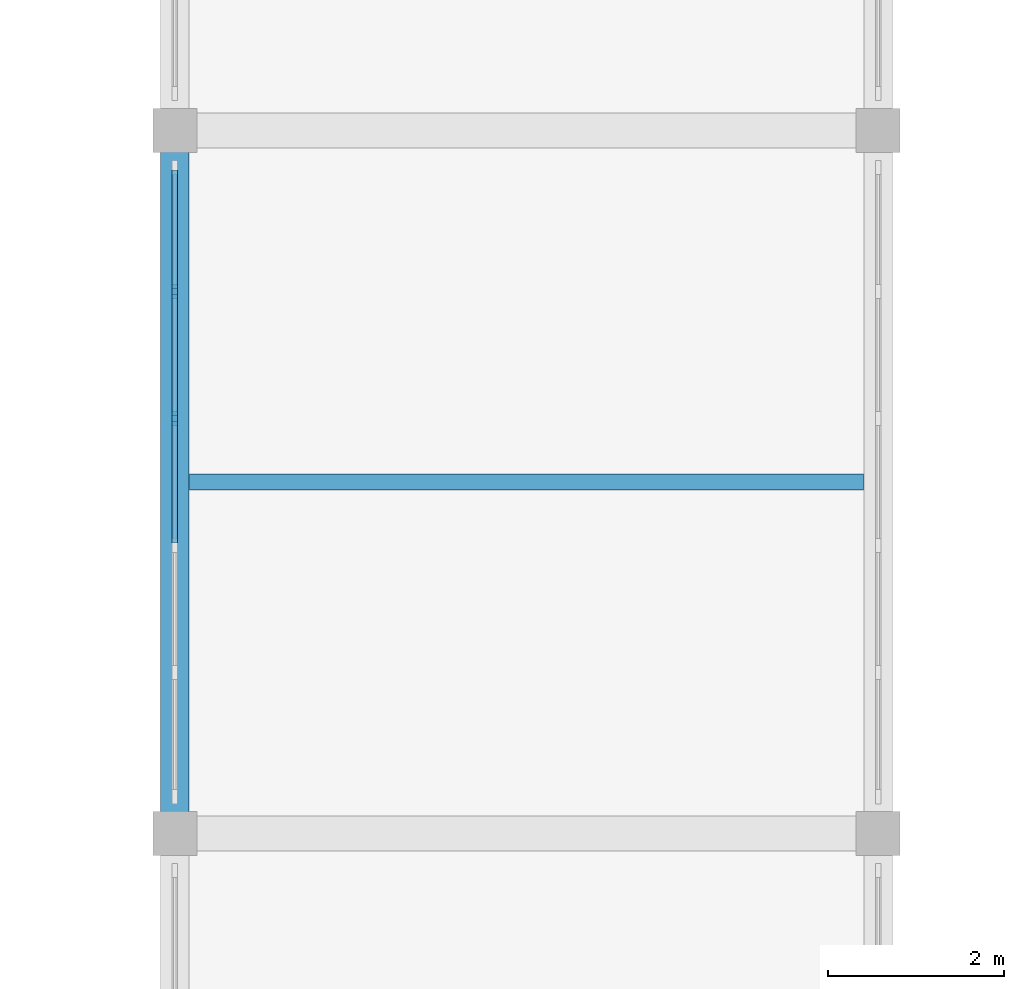
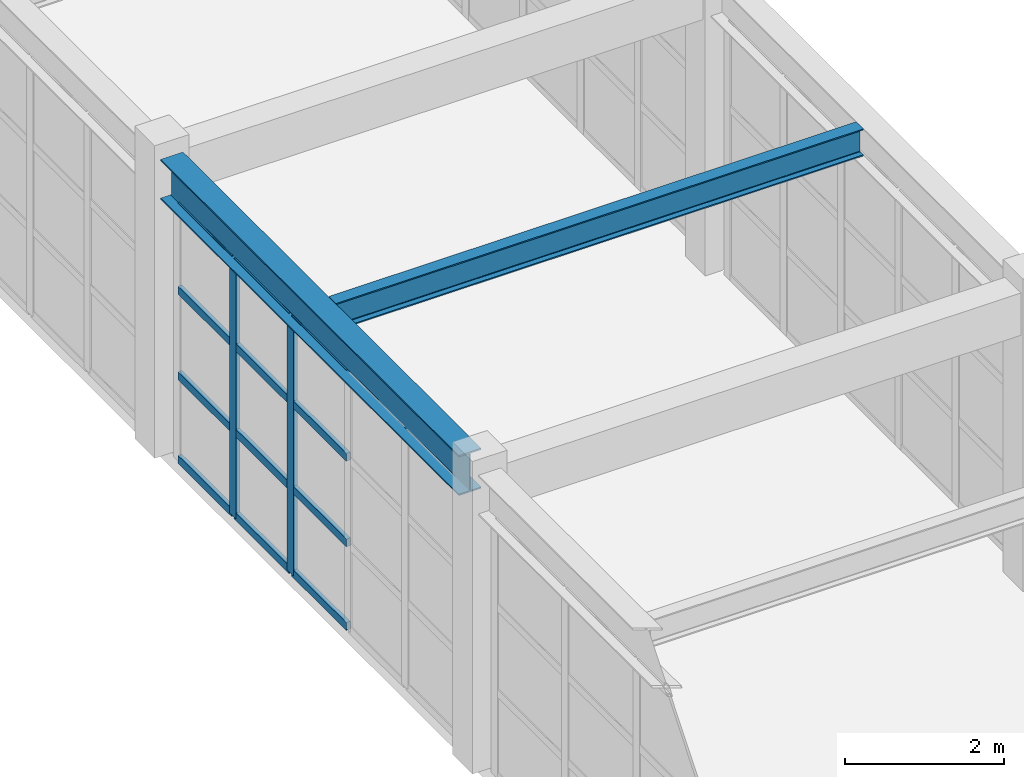
# One storey, part 11 of 59: 14 members, 2 beams, 1 element without a shape of its own.
"""IFC4 building model written with IfcOpenShell, lengths in metres."""

from ifc_helpers import new_model, si_unit, direction, frame, origin, origin_2d, place, context, subcontext, project, spatial, rectangle, i_section, extrude, material, material_profile, profile_set, type_object, element, aggregate, save


model = new_model("IFC4")

# Units and contexts
model_context = context("Model", 3, precision=1e-05, world=origin(), true_north=direction((0.0, 1.0)))
body_context = subcontext(model_context, "Body", "Model", "MODEL_VIEW")
ifc_project = project(units=[si_unit("LENGTHUNIT", "METRE"), si_unit("AREAUNIT", "SQUARE_METRE"), si_unit("VOLUMEUNIT", "CUBIC_METRE"), si_unit("PLANEANGLEUNIT", "RADIAN"), si_unit("MASSUNIT", "GRAM", prefix="KILO")], contexts=[model_context])

# Site, building, storey
site_placement = place(None, origin())
site = spatial("IfcSite", under=ifc_project, at=site_placement, CompositionType="ELEMENT")
building_placement = place(site_placement, origin())
building = spatial("IfcBuilding", under=site, at=building_placement, Name="Serraluz Foothill Cableway Terminal", CompositionType="ELEMENT")
storey_placement = place(building_placement, frame((0.0, 0.0, 4.800048828125)))
storey = spatial("IfcBuildingStorey", under=building, at=storey_placement, Name="L01", CompositionType="ELEMENT", Elevation=4.800048828125)

# Beam
ifc_material_1 = material(Name="Steel ASTM A992 Grade 50", Category="steel")
ifc_material_profile_1 = material_profile(ifc_material_1, i_section(OverallWidth=0.324951171875, OverallDepth=0.615966796875, WebThickness=0.013916015625, FlangeThickness=0.021484375, FilletRadius=0.01806640625, at=origin_2d()), Name="W24X117")
ifc_profile_set_1 = profile_set([ifc_material_profile_1], Name="Steel ASTM A992 Grade 50")
beam_type_1 = type_object("IfcBeamType", Name="TYP-BM-W24X117", PredefinedType="BEAM", material=ifc_profile_set_1)
beam_1_placement = place(storey_placement, frame((120.0, 24.24609375, 4.251953125), z_axis=(0.0, 1.0, 0.0), x_axis=(-1.0, 0.0, 0.0)))
element("IfcBeam", 1, at=beam_1_placement, inside=storey, type_object=beam_type_1, Name="Transverse Girder BM-Y-L01-0276", PredefinedType="BEAM", context=body_context, shape_type="SweptSolid", body=[
    extrude(i_section(OverallWidth=0.324951171875, OverallDepth=0.615966796875, WebThickness=0.013916015625, FlangeThickness=0.021484375, FilletRadius=0.01806640625, at=origin_2d()), origin(), (0.0, 0.0, 1.0), 7.5078125),
])

# Curtain wall, members
ifc_material_2 = material(Name="Architectural bronze alloy C28000", Category="aluminium")
curtain_wall_type = type_object("IfcCurtainWallType", Name="TYP-CW-710X420", PredefinedType="NOTDEFINED", material=ifc_material_2)
curtain_wall_placement = place(storey_placement, origin())
curtain_wall = element("IfcCurtainWall", 2, at=curtain_wall_placement, inside=storey, type_object=curtain_wall_type, Name="Ribbed Glazed Curtain Wall CW-CLW-L01-24", PredefinedType="NOTDEFINED")
ifc_material_profile_2 = material_profile(ifc_material_2, rectangle(XDim=0.06005859375, YDim=0.159912109375, at=origin_2d()), Name="ALU MULLION 60x160")
ifc_profile_set_2 = profile_set([ifc_material_profile_2], Name="Architectural bronze alloy C28000")
member_type_1 = type_object("IfcMemberType", Name="TYP-CW-MUL-60X160", PredefinedType="MULLION", material=ifc_profile_set_2)
member_1_placement = place(storey_placement, frame((120.0, 28.721923828125, 0.0), z_axis=(0.0, 0.0, 1.0), x_axis=(-1.0, 0.0, 0.0)))
member_1 = element("IfcMember", 3, at=member_1_placement, type_object=member_type_1, Name="CW-01 mullion 4", PredefinedType="MULLION", context=body_context, shape_type="SweptSolid", body=[
    extrude(rectangle(XDim=0.06005859375, YDim=0.159912109375, at=origin_2d()), origin(), (0.0, 0.0, 1.0), 3.94384765625),
])
member_2_placement = place(storey_placement, frame((120.0, 30.166015625, 0.0), z_axis=(0.0, 0.0, 1.0), x_axis=(-1.0, 0.0, 0.0)))
member_2 = element("IfcMember", 4, at=member_2_placement, type_object=member_type_1, Name="CW-01 mullion 5", PredefinedType="MULLION", context=body_context, shape_type="SweptSolid", body=[
    extrude(rectangle(XDim=0.06005859375, YDim=0.159912109375, at=origin_2d()), origin(), (0.0, 0.0, 1.0), 3.94384765625),
])
ifc_material_profile_3 = material_profile(ifc_material_2, rectangle(XDim=0.06005859375, YDim=0.1201171875, at=origin_2d()), Name="ALU TRANSOM 60x120")
ifc_profile_set_3 = profile_set([ifc_material_profile_3], Name="Architectural bronze alloy C28000")
member_type_2 = type_object("IfcMemberType", Name="TYP-CW-TRN-60X120", PredefinedType="USERDEFINED", material=ifc_profile_set_3)
member_3_placement = place(storey_placement, frame((120.0, 27.30810546875, 0.030029296875), z_axis=(0.0, 1.0, 0.0), x_axis=(-1.0, 0.0, 0.0)))
member_3 = element("IfcMember", 5, at=member_3_placement, type_object=member_type_2, Name="CW-01 transom 3.1", ObjectType="TRANSOM", PredefinedType="USERDEFINED", context=body_context, shape_type="SweptSolid", body=[
    extrude(rectangle(XDim=0.06005859375, YDim=0.1201171875, at=origin_2d()), origin(), (0.0, 0.0, 1.0), 1.3837890625),
])
member_4_placement = place(storey_placement, frame((120.0, 27.30810546875, 1.314697265625), z_axis=(0.0, 1.0, 0.0), x_axis=(-1.0, 0.0, 0.0)))
member_4 = element("IfcMember", 6, at=member_4_placement, type_object=member_type_2, Name="CW-01 transom 3.2", ObjectType="TRANSOM", PredefinedType="USERDEFINED", context=body_context, shape_type="SweptSolid", body=[
    extrude(rectangle(XDim=0.06005859375, YDim=0.1201171875, at=origin_2d()), origin(), (0.0, 0.0, 1.0), 1.3837890625),
])
member_5_placement = place(storey_placement, frame((120.0, 27.30810546875, 2.629150390625), z_axis=(0.0, 1.0, 0.0), x_axis=(-1.0, 0.0, 0.0)))
member_5 = element("IfcMember", 7, at=member_5_placement, type_object=member_type_2, Name="CW-01 transom 3.3", ObjectType="TRANSOM", PredefinedType="USERDEFINED", context=body_context, shape_type="SweptSolid", body=[
    extrude(rectangle(XDim=0.06005859375, YDim=0.1201171875, at=origin_2d()), origin(), (0.0, 0.0, 1.0), 1.3837890625),
])
member_6_placement = place(storey_placement, frame((120.0, 27.30810546875, 3.9140625), z_axis=(0.0, 1.0, 0.0), x_axis=(-1.0, 0.0, 0.0)))
member_6 = element("IfcMember", 8, at=member_6_placement, type_object=member_type_2, Name="CW-01 transom 3.4", ObjectType="TRANSOM", PredefinedType="USERDEFINED", context=body_context, shape_type="SweptSolid", body=[
    extrude(rectangle(XDim=0.06005859375, YDim=0.1201171875, at=origin_2d()), origin(), (0.0, 0.0, 1.0), 1.3837890625),
])
member_7_placement = place(storey_placement, frame((120.0, 28.751953125, 0.030029296875), z_axis=(0.0, 1.0, 0.0), x_axis=(-1.0, 0.0, 0.0)))
member_7 = element("IfcMember", 9, at=member_7_placement, type_object=member_type_2, Name="CW-01 transom 4.1", ObjectType="TRANSOM", PredefinedType="USERDEFINED", context=body_context, shape_type="SweptSolid", body=[
    extrude(rectangle(XDim=0.06005859375, YDim=0.1201171875, at=origin_2d()), origin(), (0.0, 0.0, 1.0), 1.384033203125),
])
member_8_placement = place(storey_placement, frame((120.0, 28.751953125, 1.314697265625), z_axis=(0.0, 1.0, 0.0), x_axis=(-1.0, 0.0, 0.0)))
member_8 = element("IfcMember", 10, at=member_8_placement, type_object=member_type_2, Name="CW-01 transom 4.2", ObjectType="TRANSOM", PredefinedType="USERDEFINED", context=body_context, shape_type="SweptSolid", body=[
    extrude(rectangle(XDim=0.06005859375, YDim=0.1201171875, at=origin_2d()), origin(), (0.0, 0.0, 1.0), 1.384033203125),
])
member_9_placement = place(storey_placement, frame((120.0, 28.751953125, 2.629150390625), z_axis=(0.0, 1.0, 0.0), x_axis=(-1.0, 0.0, 0.0)))
member_9 = element("IfcMember", 11, at=member_9_placement, type_object=member_type_2, Name="CW-01 transom 4.3", ObjectType="TRANSOM", PredefinedType="USERDEFINED", context=body_context, shape_type="SweptSolid", body=[
    extrude(rectangle(XDim=0.06005859375, YDim=0.1201171875, at=origin_2d()), origin(), (0.0, 0.0, 1.0), 1.384033203125),
])
member_10_placement = place(storey_placement, frame((120.0, 28.751953125, 3.9140625), z_axis=(0.0, 1.0, 0.0), x_axis=(-1.0, 0.0, 0.0)))
member_10 = element("IfcMember", 12, at=member_10_placement, type_object=member_type_2, Name="CW-01 transom 4.4", ObjectType="TRANSOM", PredefinedType="USERDEFINED", context=body_context, shape_type="SweptSolid", body=[
    extrude(rectangle(XDim=0.06005859375, YDim=0.1201171875, at=origin_2d()), origin(), (0.0, 0.0, 1.0), 1.384033203125),
])
member_11_placement = place(storey_placement, frame((120.0, 30.196044921875, 0.030029296875), z_axis=(0.0, 1.0, 0.0), x_axis=(-1.0, 0.0, 0.0)))
member_11 = element("IfcMember", 13, at=member_11_placement, type_object=member_type_2, Name="CW-01 transom 5.1", ObjectType="TRANSOM", PredefinedType="USERDEFINED", context=body_context, shape_type="SweptSolid", body=[
    extrude(rectangle(XDim=0.06005859375, YDim=0.1201171875, at=origin_2d()), origin(), (0.0, 0.0, 1.0), 1.35400390625),
])
member_12_placement = place(storey_placement, frame((120.0, 30.196044921875, 1.314697265625), z_axis=(0.0, 1.0, 0.0), x_axis=(-1.0, 0.0, 0.0)))
member_12 = element("IfcMember", 14, at=member_12_placement, type_object=member_type_2, Name="CW-01 transom 5.2", ObjectType="TRANSOM", PredefinedType="USERDEFINED", context=body_context, shape_type="SweptSolid", body=[
    extrude(rectangle(XDim=0.06005859375, YDim=0.1201171875, at=origin_2d()), origin(), (0.0, 0.0, 1.0), 1.35400390625),
])
member_13_placement = place(storey_placement, frame((120.0, 30.196044921875, 2.629150390625), z_axis=(0.0, 1.0, 0.0), x_axis=(-1.0, 0.0, 0.0)))
member_13 = element("IfcMember", 15, at=member_13_placement, type_object=member_type_2, Name="CW-01 transom 5.3", ObjectType="TRANSOM", PredefinedType="USERDEFINED", context=body_context, shape_type="SweptSolid", body=[
    extrude(rectangle(XDim=0.06005859375, YDim=0.1201171875, at=origin_2d()), origin(), (0.0, 0.0, 1.0), 1.35400390625),
])
member_14_placement = place(storey_placement, frame((120.0, 30.196044921875, 3.9140625), z_axis=(0.0, 1.0, 0.0), x_axis=(-1.0, 0.0, 0.0)))
member_14 = element("IfcMember", 16, at=member_14_placement, type_object=member_type_2, Name="CW-01 transom 5.4", ObjectType="TRANSOM", PredefinedType="USERDEFINED", context=body_context, shape_type="SweptSolid", body=[
    extrude(rectangle(XDim=0.06005859375, YDim=0.1201171875, at=origin_2d()), origin(), (0.0, 0.0, 1.0), 1.35400390625),
])
aggregate(curtain_wall, [member_1, member_2, member_3, member_4, member_5, member_6, member_7, member_8, member_9, member_10, member_11, member_12, member_13, member_14])

# Beam
ifc_material_profile_4 = material_profile(ifc_material_1, i_section(OverallWidth=0.180908203125, OverallDepth=0.4169921875, WebThickness=0.010986328125, FlangeThickness=0.018310546875, FilletRadius=0.013916015625, at=origin_2d()), Name="W16X57")
ifc_profile_set_4 = profile_set([ifc_material_profile_4], Name="Steel ASTM A992 Grade 50")
beam_type_2 = type_object("IfcBeamType", Name="TYP-JS-W16X57", PredefinedType="JOIST", material=ifc_profile_set_4)
beam_2_placement = place(storey_placement, frame((120.16748046875, 28.0, 4.3515625), z_axis=(1.0, 0.0, 0.0), x_axis=(0.0, 1.0, 0.0)))
element("IfcBeam", 17, at=beam_2_placement, inside=storey, type_object=beam_type_2, Name="Secondary Floor Joist JS-L01-0105", PredefinedType="JOIST", context=body_context, shape_type="SweptSolid", body=[
    extrude(i_section(OverallWidth=0.180908203125, OverallDepth=0.4169921875, WebThickness=0.010986328125, FlangeThickness=0.018310546875, FilletRadius=0.013916015625, at=origin_2d()), origin(), (0.0, 0.0, 1.0), 7.6650390625),
])

save(model, "model.ifc")
